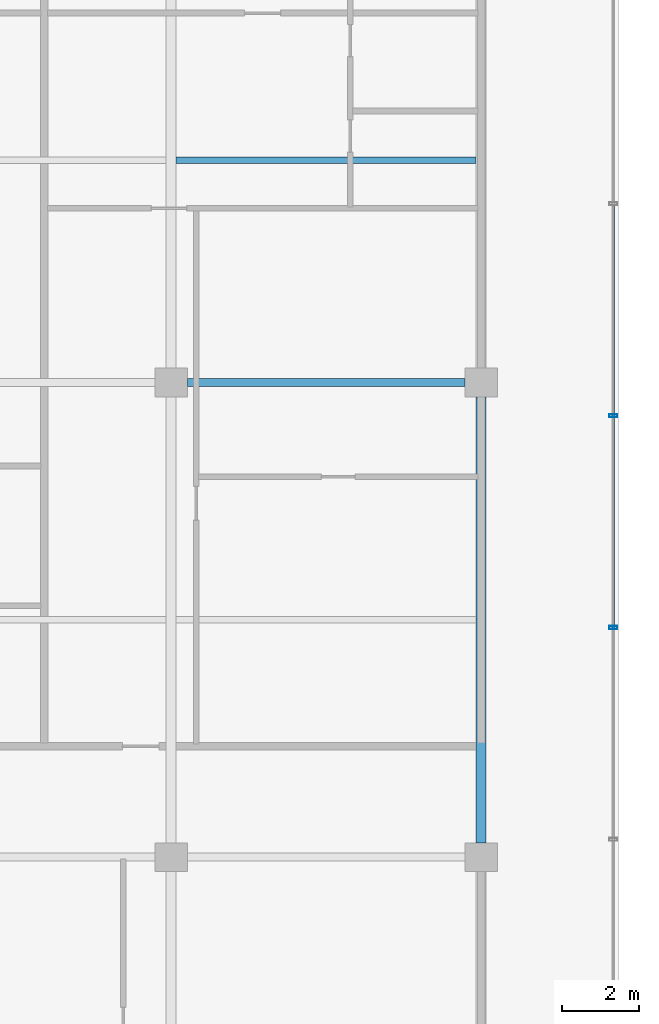
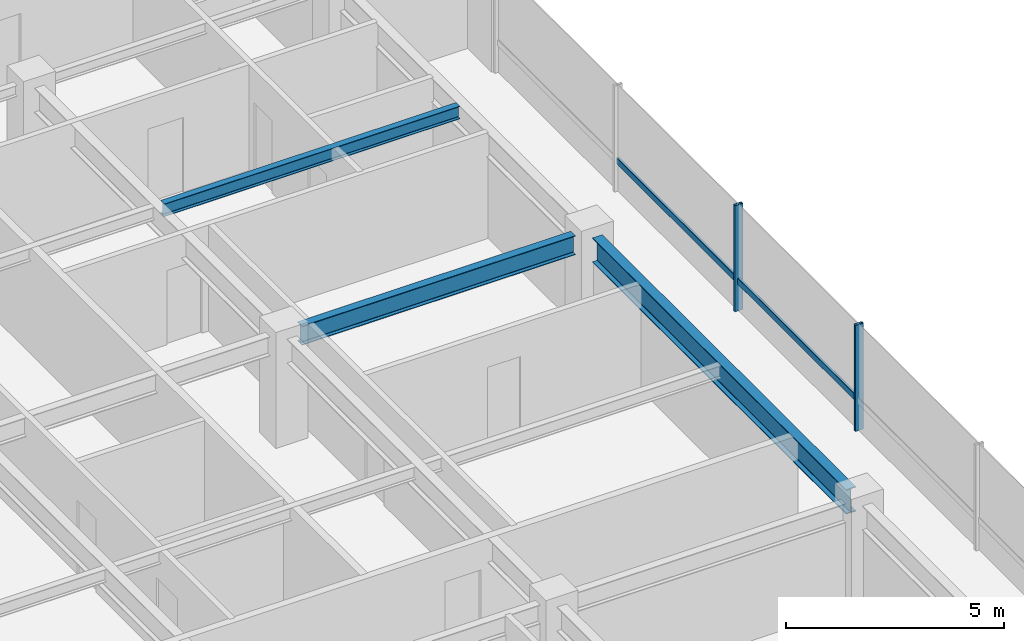
# One storey, part 13 of 32: 4 members, 3 beams, 1 element without a shape of its own.
"""IFC4 building model written with IfcOpenShell, lengths in metres."""

from ifc_helpers import new_model, si_unit, direction, frame, origin, origin_2d, place, context, subcontext, project, spatial, hollow_rectangle, i_section, extrude, material, layer, layer_set, material_profile, profile_set, type_object, element, aggregate, save


model = new_model("IFC4")

# Units and contexts
model_context = context("Model", 3, precision=1e-05, world=origin(), true_north=direction((0.0, 1.0)))
body_context = subcontext(model_context, "Body", "Model", "MODEL_VIEW")
ifc_project = project(units=[si_unit("LENGTHUNIT", "METRE"), si_unit("AREAUNIT", "SQUARE_METRE"), si_unit("VOLUMEUNIT", "CUBIC_METRE"), si_unit("PLANEANGLEUNIT", "RADIAN"), si_unit("MASSUNIT", "GRAM", prefix="KILO")], contexts=[model_context])

# Site, building, storey
site_placement = place(None, origin())
site = spatial("IfcSite", under=ifc_project, at=site_placement, CompositionType="ELEMENT")
building_placement = place(site_placement, origin())
building = spatial("IfcBuilding", under=site, at=building_placement, Name="Korimba Cascade Residences", CompositionType="ELEMENT")
storey_placement = place(building_placement, frame((0.0, 0.0, 178.35009765625)))
storey = spatial("IfcBuildingStorey", under=building, at=storey_placement, Name="L51", CompositionType="ELEMENT", Elevation=178.35009765625)

# Beams
ifc_material_1 = material(Name="Steel S355", Category="steel")
ifc_material_profile_1 = material_profile(ifc_material_1, i_section(OverallWidth=0.172119140625, OverallDepth=0.35791015625, WebThickness=0.008056640625, FlangeThickness=0.012939453125, FilletRadius=0.01025390625, at=origin_2d()), Name="Steel S355")
ifc_profile_set_1 = profile_set([ifc_material_profile_1], Name="Steel S355")
beam_type_1 = type_object("IfcBeamType", Name="BM-STL-UB356", PredefinedType="JOIST", material=ifc_profile_set_1)
beam_1_placement = place(storey_placement, frame((120.427978515625, 85.39990234375, 2.791015625), z_axis=(1.0, 0.0, 0.0), x_axis=(0.0, 1.0, 0.0)))
element("IfcBeam", 1, at=beam_1_placement, inside=storey, type_object=beam_type_1, Name="L51 T1 Floor Joist 2.8", PredefinedType="JOIST", context=body_context, shape_type="SweptSolid", body=[
    extrude(i_section(OverallWidth=0.172119140625, OverallDepth=0.35791015625, WebThickness=0.008056640625, FlangeThickness=0.012939453125, FilletRadius=0.01025390625, at=origin_2d()), origin(), (0.0, 0.0, 1.0), 7.84423828125),
])
ifc_material_profile_2 = material_profile(ifc_material_1, i_section(OverallWidth=0.2099609375, OverallDepth=0.53662109375, WebThickness=0.0107421875, FlangeThickness=0.017333984375, FilletRadius=0.0126953125, at=origin_2d()), Name="Steel S355")
ifc_profile_set_2 = profile_set([ifc_material_profile_2], Name="Steel S355")
beam_type_2 = type_object("IfcBeamType", Name="BM-STL-UB533", PredefinedType="BEAM", material=ifc_profile_set_2)
beam_2_placement = place(storey_placement, frame((120.72509765625, 79.60009765625, 2.701416015625), z_axis=(1.0, 0.0, 0.0), x_axis=(0.0, 1.0, 0.0)))
element("IfcBeam", 2, at=beam_2_placement, inside=storey, type_object=beam_type_2, Name="L51 T1 E-W Girder Y3 Bay 8", PredefinedType="BEAM", context=body_context, shape_type="SweptSolid", body=[
    extrude(i_section(OverallWidth=0.2099609375, OverallDepth=0.53662109375, WebThickness=0.0107421875, FlangeThickness=0.017333984375, FilletRadius=0.0126953125, at=origin_2d()), origin(), (0.0, 0.0, 1.0), 7.25),
])
ifc_material_profile_3 = material_profile(ifc_material_1, i_section(OverallWidth=0.255859375, OverallDepth=0.69287109375, WebThickness=0.014404296875, FlangeThickness=0.023681640625, FilletRadius=0.01513671875, at=origin_2d()), Name="Steel S355")
ifc_profile_set_3 = profile_set([ifc_material_profile_3], Name="Steel S355")
beam_type_3 = type_object("IfcBeamType", Name="BM-STL-UB686", PredefinedType="BEAM", material=ifc_profile_set_3)
beam_3_placement = place(storey_placement, frame((128.39990234375, 67.574951171875, 2.623291015625), z_axis=(0.0, 1.0, 0.0), x_axis=(-1.0, 0.0, 0.0)))
element("IfcBeam", 3, at=beam_3_placement, inside=storey, type_object=beam_type_3, Name="L51 T1 N-S Girder X9 Seg 2", PredefinedType="BEAM", context=body_context, shape_type="SweptSolid", body=[
    extrude(i_section(OverallWidth=0.255859375, OverallDepth=0.69287109375, WebThickness=0.014404296875, FlangeThickness=0.023681640625, FilletRadius=0.01513671875, at=origin_2d()), origin(), (0.0, 0.0, 1.0), 11.650146484375),
])

# Curtain wall, members
ifc_material_2 = material(Name="Anodised Aluminium Curtain Wall Framing", Category="aluminium")
ifc_layer = layer(ifc_material_2, 0.179931640625)
ifc_layer_set = layer_set([ifc_layer], Name="Anodised Aluminium Curtain Wall Framing")
curtain_wall_type = type_object("IfcCurtainWallType", Name="CW-SKY-SYS2", PredefinedType="NOTDEFINED", material=ifc_layer_set)
curtain_wall_placement = place(storey_placement, origin())
curtain_wall = element("IfcCurtainWall", 4, at=curtain_wall_placement, inside=storey, type_object=curtain_wall_type, Name="L51 Curtain Wall CW-L51-T1-E3", PredefinedType="NOTDEFINED")
ifc_material_3 = material(Name="Anodised Aluminium Mullion", Category="aluminium")
ifc_material_profile_4 = material_profile(ifc_material_3, hollow_rectangle(XDim=0.080078125, YDim=0.219970703125, WallThickness=0.00634765625, InnerFilletRadius=0.00634765625, OuterFilletRadius=0.0126953125, at=origin_2d()), Name="Anodised Aluminium Mullion")
ifc_profile_set_4 = profile_set([ifc_material_profile_4], Name="Anodised Aluminium Mullion")
member_type_1 = type_object("IfcMemberType", Name="CWM-MUL-220", PredefinedType="MULLION", material=ifc_profile_set_4)
member_1_placement = place(storey_placement, frame((131.85009765625, 73.199951171875, 0.0), z_axis=(0.0, 0.0, 1.0), x_axis=(0.0, 1.0, 0.0)))
member_1 = element("IfcMember", 5, at=member_1_placement, type_object=member_type_1, Name="CW-L51-T1-E3 Mullion 4", PredefinedType="MULLION", context=body_context, shape_type="SweptSolid", body=[
    extrude(hollow_rectangle(XDim=0.080078125, YDim=0.219970703125, WallThickness=0.00634765625, InnerFilletRadius=0.00634765625, OuterFilletRadius=0.0126953125, at=origin_2d()), origin(), (0.0, 0.0, 1.0), 2.969970703125),
])
member_2_placement = place(storey_placement, frame((131.85009765625, 78.7333984375, 0.0), z_axis=(0.0, 0.0, 1.0), x_axis=(0.0, 1.0, 0.0)))
member_2 = element("IfcMember", 6, at=member_2_placement, type_object=member_type_1, Name="CW-L51-T1-E3 Mullion 5", PredefinedType="MULLION", context=body_context, shape_type="SweptSolid", body=[
    extrude(hollow_rectangle(XDim=0.080078125, YDim=0.219970703125, WallThickness=0.00634765625, InnerFilletRadius=0.00634765625, OuterFilletRadius=0.0126953125, at=origin_2d()), origin(), (0.0, 0.0, 1.0), 2.969970703125),
])
ifc_material_4 = material(Name="Anodised Aluminium Transom", Category="aluminium")
ifc_material_profile_5 = material_profile(ifc_material_4, hollow_rectangle(XDim=0.070068359375, YDim=0.179931640625, WallThickness=0.0048828125, InnerFilletRadius=0.0048828125, OuterFilletRadius=0.010009765625, at=origin_2d()), Name="Anodised Aluminium Transom")
ifc_profile_set_5 = profile_set([ifc_material_profile_5], Name="Anodised Aluminium Transom")
member_type_2 = type_object("IfcMemberType", Name="CWM-TRN-150", PredefinedType="USERDEFINED", material=ifc_profile_set_5)
member_3_placement = place(storey_placement, frame((131.85009765625, 73.199951171875, 0.83154296875), z_axis=(0.0, 1.0, 0.0), x_axis=(-1.0, 0.0, 0.0)))
member_3 = element("IfcMember", 7, at=member_3_placement, type_object=member_type_2, Name="CW-L51-T1-E3 Transom 4", ObjectType="TRANSOM", PredefinedType="USERDEFINED", context=body_context, shape_type="SweptSolid", body=[
    extrude(hollow_rectangle(XDim=0.070068359375, YDim=0.179931640625, WallThickness=0.0048828125, InnerFilletRadius=0.0048828125, OuterFilletRadius=0.010009765625, at=origin_2d()), origin(), (0.0, 0.0, 1.0), 5.533447265625),
])
member_4_placement = place(storey_placement, frame((131.85009765625, 78.7333984375, 0.83154296875), z_axis=(0.0, 1.0, 0.0), x_axis=(-1.0, 0.0, 0.0)))
member_4 = element("IfcMember", 8, at=member_4_placement, type_object=member_type_2, Name="CW-L51-T1-E3 Transom 5", ObjectType="TRANSOM", PredefinedType="USERDEFINED", context=body_context, shape_type="SweptSolid", body=[
    extrude(hollow_rectangle(XDim=0.070068359375, YDim=0.179931640625, WallThickness=0.0048828125, InnerFilletRadius=0.0048828125, OuterFilletRadius=0.010009765625, at=origin_2d()), origin(), (0.0, 0.0, 1.0), 5.533203125),
])
aggregate(curtain_wall, [member_1, member_2, member_3, member_4])

save(model, "model.ifc")
